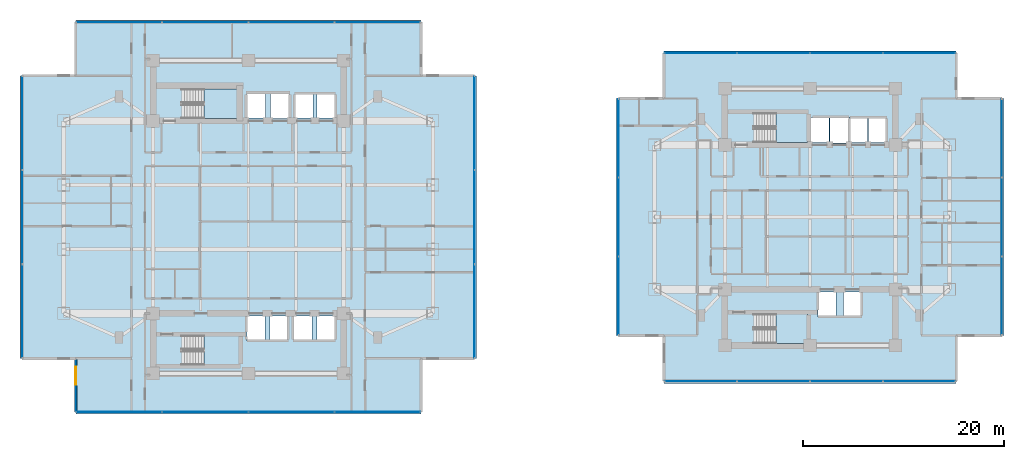
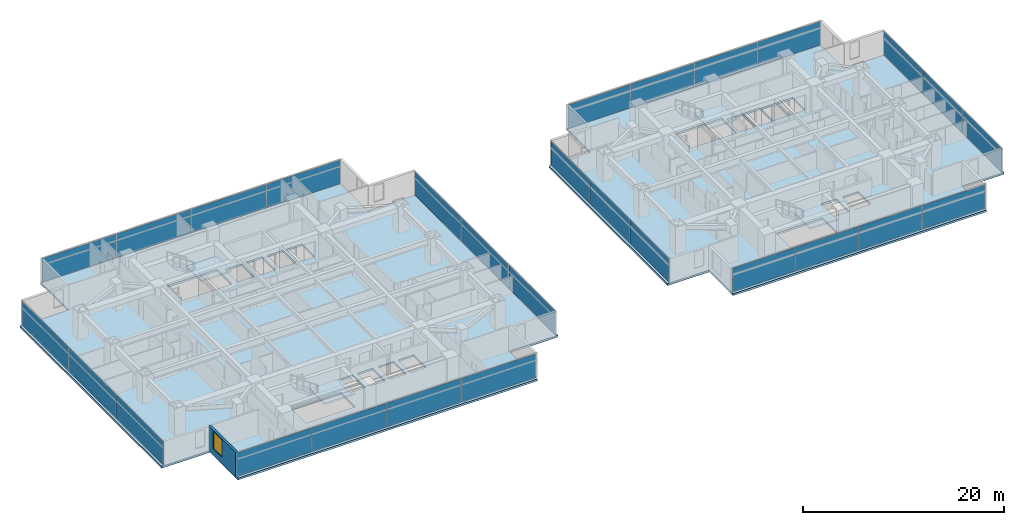
# One storey, part 13 of 27: 28 plates, 6 slabs, 1 wall, 1 window, 1 opening, 12 elements without a shape of their own.
"""IFC4 building model written with IfcOpenShell, lengths in metres."""

from ifc_helpers import new_model, si_unit, direction, frame, frame_2d, origin, origin_2d, place, context, subcontext, project, spatial, polyline, rectangle, outline, extrude, material, layer, layer_set, type_object, element, fill, aggregate, save


model = new_model("IFC4")

# Units and contexts
model_context = context("Model", 3, precision=1e-05, world=origin(), true_north=direction((0.0, 1.0)))
body_context = subcontext(model_context, "Body", "Model", "MODEL_VIEW")
ifc_project = project(units=[si_unit("LENGTHUNIT", "METRE"), si_unit("AREAUNIT", "SQUARE_METRE"), si_unit("VOLUMEUNIT", "CUBIC_METRE"), si_unit("PLANEANGLEUNIT", "RADIAN"), si_unit("MASSUNIT", "GRAM", prefix="KILO")], contexts=[model_context])

# Site, building, storey
site_placement = place(None, origin())
site = spatial("IfcSite", under=ifc_project, at=site_placement, CompositionType="ELEMENT")
building_placement = place(site_placement, origin())
building = spatial("IfcBuilding", under=site, at=building_placement, Name="Mirazonda Arch Towers", CompositionType="ELEMENT")
storey_placement = place(building_placement, frame((0.0, 0.0, 75.199951171875)))
storey = spatial("IfcBuildingStorey", under=building, at=storey_placement, Name="L21", CompositionType="ELEMENT", Elevation=75.199951171875)

# Curtain wall, plates
ifc_material_1 = material(Name="Anodised Aluminium and Low-E Glass", Category="aluminium")
curtain_wall_type = type_object("IfcCurtainWallType", Name="CW-HTL-UNIT", PredefinedType="NOTDEFINED", material=ifc_material_1)
curtain_wall_1_placement = place(storey_placement, origin())
curtain_wall_1 = element("IfcCurtainWall", 1, at=curtain_wall_1_placement, inside=storey, type_object=curtain_wall_type, Name="L21 T1 S Facade CW-L21-T1-S", PredefinedType="NOTDEFINED")
ifc_material_2 = material(Name="Insulated Low-E Solar Glass", Category="glass")
ifc_layer_1 = layer(ifc_material_2, 0.035888671875, Name="PAN-CW-HTL-UNIT")
ifc_layer_set_1 = layer_set([ifc_layer_1], Name="Insulated Low-E Solar Glass")
plate_type = type_object("IfcPlateType", Name="PAN-CW-HTL-UNIT", PredefinedType="CURTAIN_PANEL", material=ifc_layer_set_1)
plate_1_placement = place(storey_placement, frame((33.38134765625, 8.573974609375, 0.0751953125), z_axis=(0.0, 0.0, 1.0), x_axis=(-1.0, 0.0, 0.0)))
plate_1 = element("IfcPlate", 2, at=plate_1_placement, type_object=plate_type, Name="CW-112 panel 1.1", PredefinedType="CURTAIN_PANEL", context=body_context, shape_type="SweptSolid", body=[
    extrude(rectangle(XDim=8.487548828125, YDim=0.035888671875, at=origin_2d()), origin(), (0.0, 0.0, 1.0), 2.889892578125),
])
plate_2_placement = place(storey_placement, frame((24.800048828125, 8.573974609375, 0.0751953125), z_axis=(0.0, 0.0, 1.0), x_axis=(-1.0, 0.0, 0.0)))
plate_2 = element("IfcPlate", 3, at=plate_2_placement, type_object=plate_type, Name="CW-112 panel 2.1", PredefinedType="CURTAIN_PANEL", context=body_context, shape_type="SweptSolid", body=[
    extrude(rectangle(XDim=8.52490234375, YDim=0.035888671875, at=origin_2d()), origin(), (0.0, 0.0, 1.0), 2.889892578125),
])
plate_3_placement = place(storey_placement, frame((16.199951171875, 8.573974609375, 0.0751953125), z_axis=(0.0, 0.0, 1.0), x_axis=(-1.0, 0.0, 0.0)))
plate_3 = element("IfcPlate", 4, at=plate_3_placement, type_object=plate_type, Name="CW-112 panel 3.1", PredefinedType="CURTAIN_PANEL", context=body_context, shape_type="SweptSolid", body=[
    extrude(rectangle(XDim=8.52490234375, YDim=0.035888671875, at=origin_2d()), origin(), (0.0, 0.0, 1.0), 2.889892578125),
])
plate_4_placement = place(storey_placement, frame((7.61865234375, 8.573974609375, 0.0751953125), z_axis=(0.0, 0.0, 1.0), x_axis=(-1.0, 0.0, 0.0)))
plate_4 = element("IfcPlate", 5, at=plate_4_placement, type_object=plate_type, Name="CW-112 panel 4.1", PredefinedType="CURTAIN_PANEL", context=body_context, shape_type="SweptSolid", body=[
    extrude(rectangle(XDim=8.487548828125, YDim=0.035888671875, at=origin_2d()), origin(), (0.0, 0.0, 1.0), 2.889892578125),
])
aggregate(curtain_wall_1, [plate_1, plate_2, plate_3, plate_4])

curtain_wall_2_placement = place(storey_placement, origin())
curtain_wall_2 = element("IfcCurtainWall", 6, at=curtain_wall_2_placement, inside=storey, type_object=curtain_wall_type, Name="L21 T1 E Facade CW-L21-T1-E", PredefinedType="NOTDEFINED")
plate_5_placement = place(storey_placement, frame((43.0400390625, 18.628173828125, 0.0751953125), z_axis=(0.0, 0.0, 1.0), x_axis=(0.0, 1.0, 0.0)))
plate_5 = element("IfcPlate", 7, at=plate_5_placement, type_object=plate_type, Name="CW-112 panel 1.1", PredefinedType="CURTAIN_PANEL", context=body_context, shape_type="SweptSolid", body=[
    extrude(rectangle(XDim=9.278076171875, YDim=0.035888671875, at=origin_2d()), origin(), (0.0, 0.0, 1.0), 2.889892578125),
])
plate_6_placement = place(storey_placement, frame((43.0400390625, 28.0, 0.0751953125), z_axis=(0.0, 0.0, 1.0), x_axis=(0.0, 1.0, 0.0)))
plate_6 = element("IfcPlate", 8, at=plate_6_placement, type_object=plate_type, Name="CW-112 panel 2.1", PredefinedType="CURTAIN_PANEL", context=body_context, shape_type="SweptSolid", body=[
    extrude(rectangle(XDim=9.315673828125, YDim=0.035888671875, at=origin_2d()), origin(), (0.0, 0.0, 1.0), 2.889892578125),
])
plate_7_placement = place(storey_placement, frame((43.0400390625, 37.371826171875, 0.0751953125), z_axis=(0.0, 0.0, 1.0), x_axis=(0.0, 1.0, 0.0)))
plate_7 = element("IfcPlate", 9, at=plate_7_placement, type_object=plate_type, Name="CW-112 panel 3.1", PredefinedType="CURTAIN_PANEL", context=body_context, shape_type="SweptSolid", body=[
    extrude(rectangle(XDim=9.278076171875, YDim=0.035888671875, at=origin_2d()), origin(), (0.0, 0.0, 1.0), 2.889892578125),
])
aggregate(curtain_wall_2, [plate_5, plate_6, plate_7])

curtain_wall_3_placement = place(storey_placement, origin())
curtain_wall_3 = element("IfcCurtainWall", 10, at=curtain_wall_3_placement, inside=storey, type_object=curtain_wall_type, Name="L21 T1 N Facade CW-L21-T1-N", PredefinedType="NOTDEFINED")
plate_8_placement = place(storey_placement, frame((7.61865234375, 47.426025390625, 0.0751953125), z_axis=(0.0, 0.0, 1.0), x_axis=(1.0, 0.0, 0.0)))
plate_8 = element("IfcPlate", 11, at=plate_8_placement, type_object=plate_type, Name="CW-112 panel 1.1", PredefinedType="CURTAIN_PANEL", context=body_context, shape_type="SweptSolid", body=[
    extrude(rectangle(XDim=8.487548828125, YDim=0.035888671875, at=origin_2d()), origin(), (0.0, 0.0, 1.0), 2.889892578125),
])
plate_9_placement = place(storey_placement, frame((16.199951171875, 47.426025390625, 0.0751953125), z_axis=(0.0, 0.0, 1.0), x_axis=(1.0, 0.0, 0.0)))
plate_9 = element("IfcPlate", 12, at=plate_9_placement, type_object=plate_type, Name="CW-112 panel 2.1", PredefinedType="CURTAIN_PANEL", context=body_context, shape_type="SweptSolid", body=[
    extrude(rectangle(XDim=8.52490234375, YDim=0.035888671875, at=origin_2d()), origin(), (0.0, 0.0, 1.0), 2.889892578125),
])
plate_10_placement = place(storey_placement, frame((24.800048828125, 47.426025390625, 0.0751953125), z_axis=(0.0, 0.0, 1.0), x_axis=(1.0, 0.0, 0.0)))
plate_10 = element("IfcPlate", 13, at=plate_10_placement, type_object=plate_type, Name="CW-112 panel 3.1", PredefinedType="CURTAIN_PANEL", context=body_context, shape_type="SweptSolid", body=[
    extrude(rectangle(XDim=8.52490234375, YDim=0.035888671875, at=origin_2d()), origin(), (0.0, 0.0, 1.0), 2.889892578125),
])
plate_11_placement = place(storey_placement, frame((33.38134765625, 47.426025390625, 0.0751953125), z_axis=(0.0, 0.0, 1.0), x_axis=(1.0, 0.0, 0.0)))
plate_11 = element("IfcPlate", 14, at=plate_11_placement, type_object=plate_type, Name="CW-112 panel 4.1", PredefinedType="CURTAIN_PANEL", context=body_context, shape_type="SweptSolid", body=[
    extrude(rectangle(XDim=8.487548828125, YDim=0.035888671875, at=origin_2d()), origin(), (0.0, 0.0, 1.0), 2.889892578125),
])
aggregate(curtain_wall_3, [plate_8, plate_9, plate_10, plate_11])

curtain_wall_4_placement = place(storey_placement, origin())
curtain_wall_4 = element("IfcCurtainWall", 15, at=curtain_wall_4_placement, inside=storey, type_object=curtain_wall_type, Name="L21 T1 W Facade CW-L21-T1-W", PredefinedType="NOTDEFINED")
plate_12_placement = place(storey_placement, frame((-2.0400390625, 37.371826171875, 0.0751953125), z_axis=(0.0, 0.0, 1.0), x_axis=(0.0, -1.0, 0.0)))
plate_12 = element("IfcPlate", 16, at=plate_12_placement, type_object=plate_type, Name="CW-112 panel 1.1", PredefinedType="CURTAIN_PANEL", context=body_context, shape_type="SweptSolid", body=[
    extrude(rectangle(XDim=9.278076171875, YDim=0.035888671875, at=origin_2d()), origin(), (0.0, 0.0, 1.0), 2.889892578125),
])
plate_13_placement = place(storey_placement, frame((-2.0400390625, 28.0, 0.0751953125), z_axis=(0.0, 0.0, 1.0), x_axis=(0.0, -1.0, 0.0)))
plate_13 = element("IfcPlate", 17, at=plate_13_placement, type_object=plate_type, Name="CW-112 panel 2.1", PredefinedType="CURTAIN_PANEL", context=body_context, shape_type="SweptSolid", body=[
    extrude(rectangle(XDim=9.315673828125, YDim=0.035888671875, at=origin_2d()), origin(), (0.0, 0.0, 1.0), 2.889892578125),
])
plate_14_placement = place(storey_placement, frame((-2.0400390625, 18.628173828125, 0.0751953125), z_axis=(0.0, 0.0, 1.0), x_axis=(0.0, -1.0, 0.0)))
plate_14 = element("IfcPlate", 18, at=plate_14_placement, type_object=plate_type, Name="CW-112 panel 3.1", PredefinedType="CURTAIN_PANEL", context=body_context, shape_type="SweptSolid", body=[
    extrude(rectangle(XDim=9.278076171875, YDim=0.035888671875, at=origin_2d()), origin(), (0.0, 0.0, 1.0), 2.889892578125),
])
aggregate(curtain_wall_4, [plate_12, plate_13, plate_14])

curtain_wall_5_placement = place(storey_placement, origin())
curtain_wall_5 = element("IfcCurtainWall", 19, at=curtain_wall_5_placement, inside=storey, type_object=curtain_wall_type, Name="L21 T2 S Facade CW-L21-T2-S", PredefinedType="NOTDEFINED")
plate_15_placement = place(storey_placement, frame((87.4013671875, 11.640869140625, 0.0751953125), z_axis=(0.0, 0.0, 1.0), x_axis=(-1.0, 0.0, 0.0)))
plate_15 = element("IfcPlate", 20, at=plate_15_placement, type_object=plate_type, Name="CW-112 panel 1.1", PredefinedType="CURTAIN_PANEL", context=body_context, shape_type="SweptSolid", body=[
    extrude(rectangle(XDim=7.16748046875, YDim=0.035888671875, at=origin_2d()), origin(), (0.0, 0.0, 1.0), 2.889892578125),
])
plate_16_placement = place(storey_placement, frame((80.139892578125, 11.640869140625, 0.0751953125), z_axis=(0.0, 0.0, 1.0), x_axis=(-1.0, 0.0, 0.0)))
plate_16 = element("IfcPlate", 21, at=plate_16_placement, type_object=plate_type, Name="CW-112 panel 2.1", PredefinedType="CURTAIN_PANEL", context=body_context, shape_type="SweptSolid", body=[
    extrude(rectangle(XDim=7.205078125, YDim=0.035888671875, at=origin_2d()), origin(), (0.0, 0.0, 1.0), 2.889892578125),
])
plate_17_placement = place(storey_placement, frame((72.860107421875, 11.640869140625, 0.0751953125), z_axis=(0.0, 0.0, 1.0), x_axis=(-1.0, 0.0, 0.0)))
plate_17 = element("IfcPlate", 22, at=plate_17_placement, type_object=plate_type, Name="CW-112 panel 3.1", PredefinedType="CURTAIN_PANEL", context=body_context, shape_type="SweptSolid", body=[
    extrude(rectangle(XDim=7.205078125, YDim=0.035888671875, at=origin_2d()), origin(), (0.0, 0.0, 1.0), 2.889892578125),
])
plate_18_placement = place(storey_placement, frame((65.5986328125, 11.640869140625, 0.0751953125), z_axis=(0.0, 0.0, 1.0), x_axis=(-1.0, 0.0, 0.0)))
plate_18 = element("IfcPlate", 23, at=plate_18_placement, type_object=plate_type, Name="CW-112 panel 4.1", PredefinedType="CURTAIN_PANEL", context=body_context, shape_type="SweptSolid", body=[
    extrude(rectangle(XDim=7.16748046875, YDim=0.035888671875, at=origin_2d()), origin(), (0.0, 0.0, 1.0), 2.889892578125),
])
aggregate(curtain_wall_5, [plate_15, plate_16, plate_17, plate_18])

curtain_wall_6_placement = place(storey_placement, origin())
curtain_wall_6 = element("IfcCurtainWall", 24, at=curtain_wall_6_placement, inside=storey, type_object=curtain_wall_type, Name="L21 T2 E Facade CW-L21-T2-E", PredefinedType="NOTDEFINED")
plate_19_placement = place(storey_placement, frame((95.60595703125, 20.143310546875, 0.0751953125), z_axis=(0.0, 0.0, 1.0), x_axis=(0.0, 1.0, 0.0)))
plate_19 = element("IfcPlate", 25, at=plate_19_placement, type_object=plate_type, Name="CW-112 panel 1.1", PredefinedType="CURTAIN_PANEL", context=body_context, shape_type="SweptSolid", body=[
    extrude(rectangle(XDim=7.762939453125, YDim=0.035888671875, at=origin_2d()), origin(), (0.0, 0.0, 1.0), 2.889892578125),
])
plate_20_placement = place(storey_placement, frame((95.60595703125, 28.0, 0.0751953125), z_axis=(0.0, 0.0, 1.0), x_axis=(0.0, 1.0, 0.0)))
plate_20 = element("IfcPlate", 26, at=plate_20_placement, type_object=plate_type, Name="CW-112 panel 2.1", PredefinedType="CURTAIN_PANEL", context=body_context, shape_type="SweptSolid", body=[
    extrude(rectangle(XDim=7.80029296875, YDim=0.035888671875, at=origin_2d()), origin(), (0.0, 0.0, 1.0), 2.889892578125),
])
plate_21_placement = place(storey_placement, frame((95.60595703125, 35.856689453125, 0.0751953125), z_axis=(0.0, 0.0, 1.0), x_axis=(0.0, 1.0, 0.0)))
plate_21 = element("IfcPlate", 27, at=plate_21_placement, type_object=plate_type, Name="CW-112 panel 3.1", PredefinedType="CURTAIN_PANEL", context=body_context, shape_type="SweptSolid", body=[
    extrude(rectangle(XDim=7.762939453125, YDim=0.035888671875, at=origin_2d()), origin(), (0.0, 0.0, 1.0), 2.889892578125),
])
aggregate(curtain_wall_6, [plate_19, plate_20, plate_21])

curtain_wall_7_placement = place(storey_placement, origin())
curtain_wall_7 = element("IfcCurtainWall", 28, at=curtain_wall_7_placement, inside=storey, type_object=curtain_wall_type, Name="L21 T2 N Facade CW-L21-T2-N", PredefinedType="NOTDEFINED")
plate_22_placement = place(storey_placement, frame((65.5986328125, 44.359130859375, 0.0751953125), z_axis=(0.0, 0.0, 1.0), x_axis=(1.0, 0.0, 0.0)))
plate_22 = element("IfcPlate", 29, at=plate_22_placement, type_object=plate_type, Name="CW-112 panel 1.1", PredefinedType="CURTAIN_PANEL", context=body_context, shape_type="SweptSolid", body=[
    extrude(rectangle(XDim=7.16748046875, YDim=0.035888671875, at=origin_2d()), origin(), (0.0, 0.0, 1.0), 2.889892578125),
])
plate_23_placement = place(storey_placement, frame((72.860107421875, 44.359130859375, 0.0751953125), z_axis=(0.0, 0.0, 1.0), x_axis=(1.0, 0.0, 0.0)))
plate_23 = element("IfcPlate", 30, at=plate_23_placement, type_object=plate_type, Name="CW-112 panel 2.1", PredefinedType="CURTAIN_PANEL", context=body_context, shape_type="SweptSolid", body=[
    extrude(rectangle(XDim=7.205078125, YDim=0.035888671875, at=origin_2d()), origin(), (0.0, 0.0, 1.0), 2.889892578125),
])
plate_24_placement = place(storey_placement, frame((80.139892578125, 44.359130859375, 0.0751953125), z_axis=(0.0, 0.0, 1.0), x_axis=(1.0, 0.0, 0.0)))
plate_24 = element("IfcPlate", 31, at=plate_24_placement, type_object=plate_type, Name="CW-112 panel 3.1", PredefinedType="CURTAIN_PANEL", context=body_context, shape_type="SweptSolid", body=[
    extrude(rectangle(XDim=7.205078125, YDim=0.035888671875, at=origin_2d()), origin(), (0.0, 0.0, 1.0), 2.889892578125),
])
plate_25_placement = place(storey_placement, frame((87.4013671875, 44.359130859375, 0.0751953125), z_axis=(0.0, 0.0, 1.0), x_axis=(1.0, 0.0, 0.0)))
plate_25 = element("IfcPlate", 32, at=plate_25_placement, type_object=plate_type, Name="CW-112 panel 4.1", PredefinedType="CURTAIN_PANEL", context=body_context, shape_type="SweptSolid", body=[
    extrude(rectangle(XDim=7.16748046875, YDim=0.035888671875, at=origin_2d()), origin(), (0.0, 0.0, 1.0), 2.889892578125),
])
aggregate(curtain_wall_7, [plate_22, plate_23, plate_24, plate_25])

curtain_wall_8_placement = place(storey_placement, origin())
curtain_wall_8 = element("IfcCurtainWall", 33, at=curtain_wall_8_placement, inside=storey, type_object=curtain_wall_type, Name="L21 T2 W Facade CW-L21-T2-W", PredefinedType="NOTDEFINED")
plate_26_placement = place(storey_placement, frame((57.39404296875, 35.856689453125, 0.0751953125), z_axis=(0.0, 0.0, 1.0), x_axis=(0.0, -1.0, 0.0)))
plate_26 = element("IfcPlate", 34, at=plate_26_placement, type_object=plate_type, Name="CW-112 panel 1.1", PredefinedType="CURTAIN_PANEL", context=body_context, shape_type="SweptSolid", body=[
    extrude(rectangle(XDim=7.762939453125, YDim=0.035888671875, at=origin_2d()), origin(), (0.0, 0.0, 1.0), 2.889892578125),
])
plate_27_placement = place(storey_placement, frame((57.39404296875, 28.0, 0.0751953125), z_axis=(0.0, 0.0, 1.0), x_axis=(0.0, -1.0, 0.0)))
plate_27 = element("IfcPlate", 35, at=plate_27_placement, type_object=plate_type, Name="CW-112 panel 2.1", PredefinedType="CURTAIN_PANEL", context=body_context, shape_type="SweptSolid", body=[
    extrude(rectangle(XDim=7.80029296875, YDim=0.035888671875, at=origin_2d()), origin(), (0.0, 0.0, 1.0), 2.889892578125),
])
plate_28_placement = place(storey_placement, frame((57.39404296875, 20.143310546875, 0.0751953125), z_axis=(0.0, 0.0, 1.0), x_axis=(0.0, -1.0, 0.0)))
plate_28 = element("IfcPlate", 36, at=plate_28_placement, type_object=plate_type, Name="CW-112 panel 3.1", PredefinedType="CURTAIN_PANEL", context=body_context, shape_type="SweptSolid", body=[
    extrude(rectangle(XDim=7.762939453125, YDim=0.035888671875, at=origin_2d()), origin(), (0.0, 0.0, 1.0), 2.889892578125),
])
aggregate(curtain_wall_8, [plate_26, plate_27, plate_28])

# Stair, slab
ifc_material_3 = material(Name="Concrete C40/50", Category="concrete")
stair_type = type_object("IfcStairType", Name="STAIR-CORE-1400", PredefinedType="HALF_TURN_STAIR", material=ifc_material_3)
stair_1_placement = place(storey_placement, origin())
stair_1 = element("IfcStair", 37, at=stair_1_placement, inside=storey, type_object=stair_type, Name="L21 Protected Exit Stair ST-T1N", PredefinedType="HALF_TURN_STAIR")
ifc_layer_2 = layer(ifc_material_3, 0.18994140625, Name="SLAB-LANDING-190")
ifc_layer_set_2 = layer_set([ifc_layer_2], Name="Concrete C40/50")
slab_type_1 = type_object("IfcSlabType", Name="SLAB-LANDING-190", PredefinedType="LANDING", material=ifc_layer_set_2)
slab_1_placement = place(storey_placement, frame((0.0, 0.0, 1.449951171875)))
slab_1 = element("IfcSlab", 38, at=slab_1_placement, type_object=slab_type_1, Name="ST-T1N landing 1", PredefinedType="LANDING", context=body_context, shape_type="SweptSolid", body=[
    extrude(outline(polyline([(16.090087890625, 37.820068359375), (19.60009765625, 37.820068359375), (19.60009765625, 40.760009765625), (16.090087890625, 40.760009765625), (16.090087890625, 37.820068359375)])), origin(), (0.0, 0.0, 1.0), 0.2001953125),
])
aggregate(stair_1, [slab_1])

stair_2_placement = place(storey_placement, origin())
stair_2 = element("IfcStair", 39, at=stair_2_placement, inside=storey, type_object=stair_type, Name="L21 Protected Exit Stair ST-T1S", PredefinedType="HALF_TURN_STAIR")
slab_2_placement = place(storey_placement, frame((0.0, 0.0, 1.449951171875)))
slab_2 = element("IfcSlab", 40, at=slab_2_placement, type_object=slab_type_1, Name="ST-T1S landing 1", PredefinedType="LANDING", context=body_context, shape_type="SweptSolid", body=[
    extrude(outline(polyline([(16.090087890625, 13.25), (19.60009765625, 13.25), (19.60009765625, 16.18994140625), (16.090087890625, 16.18994140625), (16.090087890625, 13.25)])), origin(), (0.0, 0.0, 1.0), 0.2001953125),
])
aggregate(stair_2, [slab_2])

stair_3_placement = place(storey_placement, origin())
stair_3 = element("IfcStair", 41, at=stair_3_placement, inside=storey, type_object=stair_type, Name="L21 Protected Exit Stair ST-T2N", PredefinedType="HALF_TURN_STAIR")
slab_3_placement = place(storey_placement, frame((0.0, 0.0, 1.449951171875)))
slab_3 = element("IfcSlab", 42, at=slab_3_placement, type_object=slab_type_1, Name="ST-T2N landing 1", PredefinedType="LANDING", context=body_context, shape_type="SweptSolid", body=[
    extrude(outline(polyline([(73.090087890625, 35.419921875), (76.22998046875, 35.419921875), (76.22998046875, 38.360107421875), (73.090087890625, 38.360107421875), (73.090087890625, 35.419921875)])), origin(), (0.0, 0.0, 1.0), 0.2001953125),
])
aggregate(stair_3, [slab_3])

stair_4_placement = place(storey_placement, origin())
stair_4 = element("IfcStair", 43, at=stair_4_placement, inside=storey, type_object=stair_type, Name="L21 Protected Exit Stair ST-T2S", PredefinedType="HALF_TURN_STAIR")
slab_4_placement = place(storey_placement, frame((0.0, 0.0, 1.449951171875)))
slab_4 = element("IfcSlab", 44, at=slab_4_placement, type_object=slab_type_1, Name="ST-T2S landing 1", PredefinedType="LANDING", context=body_context, shape_type="SweptSolid", body=[
    extrude(outline(polyline([(73.090087890625, 15.419921875), (76.22998046875, 15.419921875), (76.22998046875, 18.360107421875), (73.090087890625, 18.360107421875), (73.090087890625, 15.419921875)])), origin(), (0.0, 0.0, 1.0), 0.2001953125),
])
aggregate(stair_4, [slab_4])

# Slabs
ifc_layer_3 = layer(ifc_material_3, 0.239990234375, Name="SLAB-TWR-240")
ifc_layer_set_3 = layer_set([ifc_layer_3], Name="Concrete C40/50")
slab_type_2 = type_object("IfcSlabType", Name="SLAB-TWR-240", PredefinedType="FLOOR", material=ifc_layer_set_3)
slab_5_placement = place(storey_placement, frame((0.0, 0.0, -0.239990234375)))
element("IfcSlab", 45, at=slab_5_placement, inside=storey, type_object=slab_type_2, Name="L21 Tower 1 Floor Slab", PredefinedType="FLOOR", context=body_context, shape_type="SweptSolid", body=[
    extrude(outline(polyline([(3.300048828125, 8.35400390625), (37.699951171875, 8.35400390625), (37.699951171875, 13.9140625), (43.260009765625, 13.9140625), (43.260009765625, 42.0859375), (37.699951171875, 42.0859375), (37.699951171875, 47.64599609375), (3.300048828125, 47.64599609375), (3.300048828125, 42.0859375), (-2.260009765625, 42.0859375), (-2.260009765625, 13.9140625), (3.300048828125, 13.9140625), (3.300048828125, 8.35400390625)]), holes=[polyline([(29.139892578125, 18.139892578125), (29.139892578125, 15.659912109375), (27.360107421875, 15.659912109375), (27.360107421875, 18.139892578125), (29.139892578125, 18.139892578125)]), polyline([(29.139892578125, 40.340087890625), (29.139892578125, 37.860107421875), (27.360107421875, 37.860107421875), (27.360107421875, 40.340087890625), (29.139892578125, 40.340087890625)]), polyline([(25.159912109375, 40.340087890625), (26.93994140625, 40.340087890625), (26.93994140625, 37.860107421875), (25.159912109375, 37.860107421875), (25.159912109375, 40.340087890625)]), polyline([(26.840087890625, 18.139892578125), (26.840087890625, 15.659912109375), (25.06005859375, 15.659912109375), (25.06005859375, 18.139892578125), (26.840087890625, 18.139892578125)]), polyline([(22.7099609375, 40.389892578125), (24.590087890625, 40.389892578125), (24.590087890625, 37.81005859375), (22.7099609375, 37.81005859375), (22.7099609375, 40.389892578125)]), polyline([(22.659912109375, 18.139892578125), (24.43994140625, 18.139892578125), (24.43994140625, 15.659912109375), (22.659912109375, 15.659912109375), (22.659912109375, 18.139892578125)]), polyline([(20.31005859375, 40.340087890625), (22.18994140625, 40.340087890625), (22.18994140625, 37.860107421875), (20.31005859375, 37.860107421875), (20.31005859375, 40.340087890625)]), polyline([(20.360107421875, 18.139892578125), (22.139892578125, 18.139892578125), (22.139892578125, 15.659912109375), (20.360107421875, 15.659912109375), (20.360107421875, 18.139892578125)]), polyline([(13.925048828125, 40.760009765625), (19.60009765625, 40.760009765625), (19.60009765625, 37.820068359375), (13.925048828125, 37.820068359375), (13.925048828125, 40.760009765625)]), polyline([(13.925048828125, 13.25), (13.925048828125, 16.18994140625), (19.60009765625, 16.18994140625), (19.60009765625, 13.25), (13.925048828125, 13.25)])]), origin(), (0.0, 0.0, 1.0), 0.239990234375),
])
slab_6_placement = place(storey_placement, frame((0.0, 0.0, -0.239990234375)))
element("IfcSlab", 46, at=slab_6_placement, inside=storey, type_object=slab_type_2, Name="L21 Tower 2 Floor Slab", PredefinedType="FLOOR", context=body_context, shape_type="SweptSolid", body=[
    extrude(outline(polyline([(61.93994140625, 11.4208984375), (91.06005859375, 11.4208984375), (91.06005859375, 16.18701171875), (95.825927734375, 16.18701171875), (95.825927734375, 39.81298828125), (91.06005859375, 39.81298828125), (91.06005859375, 44.5791015625), (61.93994140625, 44.5791015625), (61.93994140625, 39.81298828125), (57.174072265625, 39.81298828125), (57.174072265625, 16.18701171875), (61.93994140625, 16.18701171875), (61.93994140625, 11.4208984375)]), holes=[polyline([(82.330078125, 37.93994140625), (84.110107421875, 37.93994140625), (84.110107421875, 35.4599609375), (82.330078125, 35.4599609375), (82.330078125, 37.93994140625)]), polyline([(80.449951171875, 37.93994140625), (82.22998046875, 37.93994140625), (82.22998046875, 35.4599609375), (80.449951171875, 35.4599609375), (80.449951171875, 37.93994140625)]), polyline([(79.81005859375, 20.5400390625), (81.590087890625, 20.5400390625), (81.590087890625, 18.06005859375), (79.81005859375, 18.06005859375), (79.81005859375, 20.5400390625)]), polyline([(78.47998046875, 37.989990234375), (80.360107421875, 37.989990234375), (80.360107421875, 35.409912109375), (78.47998046875, 35.409912109375), (78.47998046875, 37.989990234375)]), polyline([(77.31005859375, 20.5400390625), (79.090087890625, 20.5400390625), (79.090087890625, 18.06005859375), (77.31005859375, 18.06005859375), (77.31005859375, 20.5400390625)]), polyline([(76.510009765625, 37.93994140625), (78.389892578125, 37.93994140625), (78.389892578125, 35.4599609375), (76.510009765625, 35.4599609375), (76.510009765625, 37.93994140625)]), polyline([(70.925048828125, 15.419921875), (70.925048828125, 18.360107421875), (76.22998046875, 18.360107421875), (76.22998046875, 15.419921875), (70.925048828125, 15.419921875)]), polyline([(70.925048828125, 35.419921875), (70.925048828125, 38.360107421875), (76.22998046875, 38.360107421875), (76.22998046875, 35.419921875), (70.925048828125, 35.419921875)])]), origin(), (0.0, 0.0, 1.0), 0.239990234375),
])

# Wall, opening, window
ifc_material_4 = material(Name="Precast Concrete C40/50", Category="concrete")
ifc_layer_4 = layer(ifc_material_4, 0.280029296875, Name="WALL-EXT-WALL-280")
ifc_layer_set_4 = layer_set([ifc_layer_4], Name="Precast Concrete C40/50")
wall_type = type_object("IfcWallType", Name="WALL-EXT-WALL-280", PredefinedType="SOLIDWALL", material=ifc_layer_set_4)
wall_placement = place(storey_placement, frame((3.300048828125, 13.9140625, 0.0), z_axis=(0.0, 0.0, 1.0), x_axis=(0.0, -1.0, 0.0)))
wall = element("IfcWall", 47, at=wall_placement, inside=storey, type_object=wall_type, Name="L21 T1 Notched SW Corner Wall WL-L21-T1-CSW", PredefinedType="SOLIDWALL", context=body_context, shape_type="SweptSolid", body=[
    extrude(rectangle(XDim=5.340087890625, YDim=0.280029296875, at=frame_2d((2.669921875, 0.0))), origin(), (0.0, 0.0, 1.0), 3.0400390625),
])
opening_placement = place(wall_placement, frame((0.85009765625, 0.0, 0.7900390625)))
opening = element("IfcOpeningElement", 48, at=opening_placement, cuts=wall, Name="Opening WN-116", PredefinedType="OPENING", context=body_context, shape_type="SweptSolid", body=[
    extrude(rectangle(XDim=1.800048828125, YDim=2.10009765625, at=frame_2d((0.89990234375, 1.050048828125))), frame((0.0, 0.14990234375, 0.0), z_axis=(0.0, -1.0, 0.0), x_axis=(1.0, 0.0, 0.0)), (0.0, 0.0, 1.0), 0.300048828125),
])
window_type = type_object("IfcWindowType", Name="WIN-HTL-1800x2100", PartitioningType="SINGLE_PANEL", PredefinedType="WINDOW", material=ifc_material_2)
window_placement = place(opening_placement, origin())
window = element("IfcWindow", 49, at=window_placement, inside=storey, type_object=window_type, Name="L21 Punched Facade Window WN-L21-T1-CSW", OverallHeight=2.10009765625, OverallWidth=1.800048828125, PartitioningType="SINGLE_PANEL", PredefinedType="WINDOW", context=body_context, shape_type="SweptSolid", body=[
    extrude(rectangle(XDim=1.800048828125, YDim=2.10009765625, at=frame_2d((0.89990234375, 1.050048828125))), frame((0.0, 0.030029296875, 0.0), z_axis=(0.0, -1.0, 0.0), x_axis=(1.0, 0.0, 0.0)), (0.0, 0.0, 1.0), 0.06005859375),
])
fill(opening, window)

save(model, "model.ifc")
